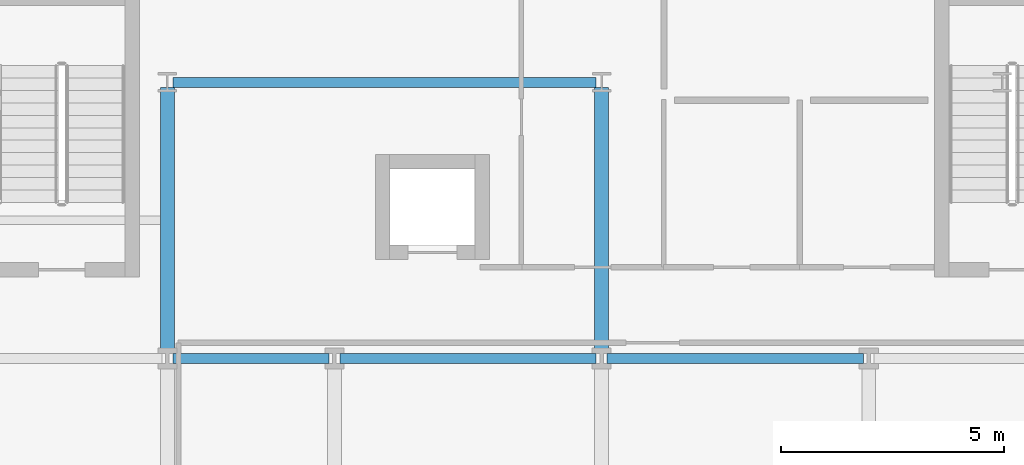
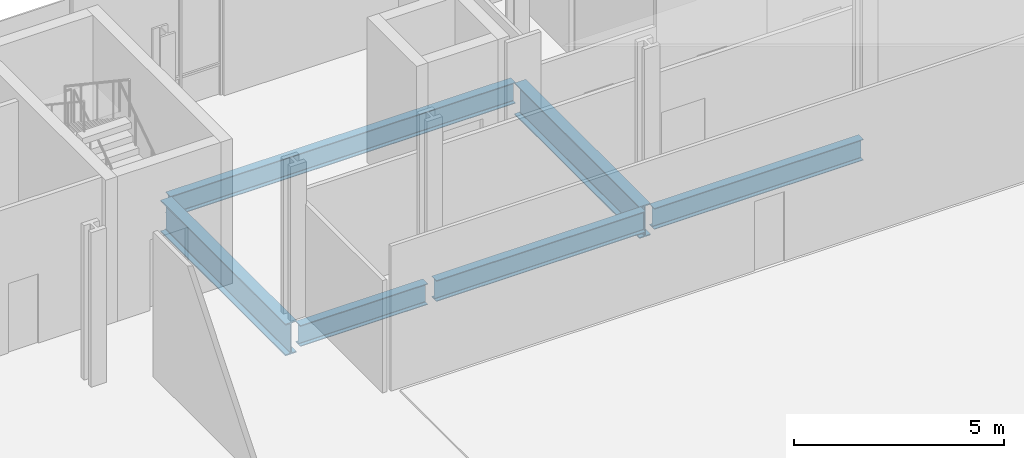
# One storey, part 10 of 25: 6 beams.
"""IFC4 building model written with IfcOpenShell, lengths in metres."""

import ifcopenshell
import ifcopenshell.guid

model = None  # the IFC model being written
_history = None  # IfcOwnerHistory: only IFC2X3 demands one
_inside = {}  # id of a spatial element -> (the spatial element, [elements in it])
_under = {}  # id of a project, library or spatial element -> (it, [spatial elements below it])
_declared = {}  # id of a project -> (the project, [libraries it declares])
_typed = {}  # id of a type object -> (the type object, [elements of that type])
_made_of = {}  # id of a material, layer set ... -> (it, [elements and type objects made of it])


def new_model(schema):
    """Start an empty IFC model of exactly this schema.

    Asked for "IFC4X3", IfcOpenShell would pick the latest addendum, in which some entities
    have other attributes; the version numbers below select the first issue.
    IFC2X3 requires an IfcOwnerHistory on every rooted entity: one is made here for all.
    """
    global model, _history
    if schema == "IFC4X3":
        model = ifcopenshell.file(schema_version=(4, 3, 0, 0))
    else:
        model = ifcopenshell.file(schema=schema)
    _inside.clear()
    _under.clear()
    _declared.clear()
    _typed.clear()
    _made_of.clear()
    _history = None
    if model.schema == "IFC2X3":
        org = make("IfcOrganization", Name="unknown")
        user = make(
            "IfcPersonAndOrganization",
            ThePerson=make("IfcPerson", FamilyName="unknown"),
            TheOrganization=org,
        )
        app = make(
            "IfcApplication",
            ApplicationDeveloper=org,
            Version="unknown",
            ApplicationFullName="unknown",
            ApplicationIdentifier="unknown",
        )
        _history = make(
            "IfcOwnerHistory",
            OwningUser=user,
            OwningApplication=app,
            ChangeAction="ADDED",
            CreationDate=0,
        )
    return model


def make(cls, **values):
    """One entity of the class cls with the attributes given. An attribute that is None is left unset."""
    return model.create_entity(
        cls, **{name: value for name, value in values.items() if value is not None}
    )


def rooted(cls, **values):
    """An entity with a GlobalId (a new one), such as an element, a storey or a relation."""
    return make(cls, GlobalId=ifcopenshell.guid.new(), OwnerHistory=_history, **values)


def si_unit(unit_type, name, prefix=None):
    """IfcSIUnit, for example si_unit("LENGTHUNIT", "METRE", prefix="MILLI")."""
    return make("IfcSIUnit", UnitType=unit_type, Prefix=prefix, Name=name)


def assignment(units):
    """IfcUnitAssignment: the units of a project."""
    return None if units is None else make("IfcUnitAssignment", Units=units)


def point(xyz):
    """IfcCartesianPoint."""
    return None if xyz is None else make("IfcCartesianPoint", Coordinates=xyz)


def direction(xyz):
    """IfcDirection."""
    return None if xyz is None else make("IfcDirection", DirectionRatios=xyz)


def frame(location, z_axis=None, x_axis=None):
    """IfcAxis2Placement3D, a coordinate frame: its origin and axes. An axis left out is left unset."""
    return make(
        "IfcAxis2Placement3D",
        Location=point(location),
        Axis=direction(z_axis),
        RefDirection=direction(x_axis),
    )


def frame_2d(location, x_axis=None):
    """IfcAxis2Placement2D, a coordinate frame in the plane: its origin and x axis."""
    return make(
        "IfcAxis2Placement2D", Location=point(location), RefDirection=direction(x_axis)
    )


def origin():
    """The frame at (0, 0, 0) with its axes left unset."""
    return frame((0.0, 0.0, 0.0))


def origin_2d():
    """The frame at (0, 0) in the plane with its x axis left unset."""
    return frame_2d((0.0, 0.0))


def place(relative_to, where):
    """IfcLocalPlacement: puts the frame where relative to a parent placement (None: the world)."""
    return make(
        "IfcLocalPlacement", PlacementRelTo=relative_to, RelativePlacement=where
    )


def context(
    kind, dimensions, precision=None, world=None, true_north=None, identifier=None
):
    """IfcGeometricRepresentationContext, for example the 3D "Model" context."""
    return make(
        "IfcGeometricRepresentationContext",
        ContextIdentifier=identifier,
        ContextType=kind,
        CoordinateSpaceDimension=dimensions,
        Precision=precision,
        WorldCoordinateSystem=world,
        TrueNorth=true_north,
    )


def subcontext(parent, identifier, kind, view, scale=None):
    """IfcGeometricRepresentationSubContext, for example "Body" below "Model"."""
    return make(
        "IfcGeometricRepresentationSubContext",
        ContextIdentifier=identifier,
        ContextType=kind,
        ParentContext=parent,
        TargetScale=scale,
        TargetView=view,
    )


def project(units=None, contexts=None):
    """IfcProject with its units and contexts."""
    return rooted(
        "IfcProject",
        Name="project",
        RepresentationContexts=contexts,
        UnitsInContext=assignment(units),
    )


def spatial(cls, under=None, at=None, **own):
    """A site, building, storey or space (cls), placed at a placement, below another one or the project."""
    s = rooted(cls, ObjectPlacement=at, **own)
    if under is not None:
        _under.setdefault(under.id(), (under, []))[1].append(s)
    return s


def profile(cls, at=None, kind="AREA", **sizes):
    """A parametric profile (cls). Its sizes go by their IFC names, for example OverallWidth=200.0."""
    return make(cls, ProfileType=kind, Position=at, **sizes)


def i_section(**sizes):
    """IfcIShapeProfileDef."""
    return profile("IfcIShapeProfileDef", **sizes)


def extrude(swept, where, along, depth):
    """IfcExtrudedAreaSolid: the profile swept, set in the frame where, extruded along a direction by depth."""
    return make(
        "IfcExtrudedAreaSolid",
        SweptArea=swept,
        Position=where,
        ExtrudedDirection=direction(along),
        Depth=depth,
    )


def shape(context_of_items, identifier, shape_type, items):
    """IfcShapeRepresentation: the items that make up one representation, for example the "Body"."""
    return make(
        "IfcShapeRepresentation",
        ContextOfItems=context_of_items,
        RepresentationIdentifier=identifier,
        RepresentationType=shape_type,
        Items=items,
    )


def material(Name=None, Category=None):
    """IfcMaterial."""
    return make("IfcMaterial", Name=Name, Category=Category)


def material_profile(
    of_material, cross_section, Name=None, Category=None, Priority=None
):
    """IfcMaterialProfile: a cross section and its material."""
    return make(
        "IfcMaterialProfile",
        Name=Name,
        Material=of_material,
        Profile=cross_section,
        Priority=Priority,
        Category=Category,
    )


def profile_set(profiles, Name=None, composite=None):
    """IfcMaterialProfileSet."""
    return make(
        "IfcMaterialProfileSet",
        Name=Name,
        MaterialProfiles=profiles,
        CompositeProfile=composite,
    )


def made_of(thing, what):
    """Note that an element or type object is made of a material, layer set ...; save() writes the relation."""
    if what is not None:
        _made_of.setdefault(what.id(), (what, []))[1].append(thing)
    return thing


def type_object(cls, material=None, **own):
    """A type object (cls), such as IfcWallType, which elements share."""
    return made_of(rooted(cls, **own), material)


def element(
    cls,
    number,
    at=None,
    inside=None,
    cuts=None,
    type_object=None,
    material=None,
    context=None,
    identifier="Body",
    shape_type=None,
    held_by="IfcProductDefinitionShape",
    body=None,
    shapes=None,
    **own,
):
    """One element of the class cls, such as IfcWall. Its Tag is "e" and its number.

    at: its placement. inside: the storey or other place that contains it. cuts: it is an
    opening in that element (IfcRelVoidsElement). A single representation is given by context,
    identifier, shape_type and body (its items); several are given by shapes. held_by: the class
    of the entity that holds the representations. save() writes the other relations.
    """
    e = rooted(cls, Tag="e%d" % number, ObjectPlacement=at, **own)
    if body is not None:
        shapes = [shape(context, identifier, shape_type, body)]
    if shapes is not None:
        e.Representation = make(held_by, Representations=shapes)
    if inside is not None:
        _inside.setdefault(inside.id(), (inside, []))[1].append(e)
    if cuts is not None:
        rooted(
            "IfcRelVoidsElement", RelatingBuildingElement=cuts, RelatedOpeningElement=e
        )
    if type_object is not None:
        _typed.setdefault(type_object.id(), (type_object, []))[1].append(e)
    return made_of(e, material)


def aggregate(whole, parts):
    """IfcRelAggregates: a whole, such as a stair, and the parts it consists of."""
    return rooted("IfcRelAggregates", RelatingObject=whole, RelatedObjects=parts)


def save(model, path):
    """Write the relations noted so far, then the file.

    IfcRelAggregates (storeys below a building ...), IfcRelContainedInSpatialStructure (elements
    in a storey), IfcRelDefinesByType, IfcRelAssociatesMaterial and IfcRelDeclares: one each for
    every whole, place, type object, material and project.
    """
    for whole, parts in _under.values():
        aggregate(whole, parts)
    for where, things in _inside.values():
        rooted(
            "IfcRelContainedInSpatialStructure",
            RelatedElements=things,
            RelatingStructure=where,
        )
    for kind, things in _typed.values():
        rooted("IfcRelDefinesByType", RelatedObjects=things, RelatingType=kind)
    for what, things in _made_of.values():
        rooted("IfcRelAssociatesMaterial", RelatedObjects=things, RelatingMaterial=what)
    for by, libraries in _declared.values():
        rooted("IfcRelDeclares", RelatingContext=by, RelatedDefinitions=libraries)
    model.write(path)


model = new_model("IFC4")

# Units and contexts
model_context = context("Model", 3, precision=1e-05, world=origin(), true_north=direction((0.0, 1.0)))
body_context = subcontext(model_context, "Body", "Model", "MODEL_VIEW")
ifc_project = project(units=[si_unit("LENGTHUNIT", "METRE"), si_unit("AREAUNIT", "SQUARE_METRE"), si_unit("VOLUMEUNIT", "CUBIC_METRE"), si_unit("PLANEANGLEUNIT", "RADIAN"), si_unit("MASSUNIT", "GRAM", prefix="KILO")], contexts=[model_context])

# Site, building, storey
site_placement = place(None, origin())
site = spatial("IfcSite", under=ifc_project, at=site_placement, CompositionType="ELEMENT")
building_placement = place(site_placement, origin())
building = spatial("IfcBuilding", under=site, at=building_placement, Name="Brevholm Reach", CompositionType="ELEMENT")
storey_placement = place(building_placement, frame((0.0, 0.0, 4.5)))
storey = spatial("IfcBuildingStorey", under=building, at=storey_placement, Name="L01", CompositionType="ELEMENT", Elevation=4.5)

# Beams
ifc_material_1 = material(Name="Structural Steel S355J2", Category="steel")
ifc_material_profile_1 = material_profile(ifc_material_1, i_section(OverallWidth=0.22900390625, OverallDepth=0.6123046875, WebThickness=0.011962890625, FlangeThickness=0.01953125, FilletRadius=0.0126953125, at=origin_2d()), Name="UKB 610x229x125")
ifc_profile_set_1 = profile_set([ifc_material_profile_1], Name="Structural Steel S355J2")
beam_type_1 = type_object("IfcBeamType", Name="BM-SP610", PredefinedType="SPANDREL", material=ifc_profile_set_1)
beam_1_placement = place(storey_placement, frame((38.3701171875, 31.0, -0.626220703125), z_axis=(1.0, 0.0, 0.0), x_axis=(0.0, 1.0, 0.0)))
element("IfcBeam", 1, at=beam_1_placement, inside=storey, type_object=beam_type_1, Name="L01 SP-01 Framing Beam", PredefinedType="SPANDREL", context=body_context, shape_type="SweptSolid", body=[
    extrude(i_section(OverallWidth=0.22900390625, OverallDepth=0.6123046875, WebThickness=0.011962890625, FlangeThickness=0.01953125, FilletRadius=0.0126953125, at=origin_2d()), origin(), (0.0, 0.0, 1.0), 3.509765625),
])
for number, where, z_axis, x_axis, name in (
    (2, (42.1201171875, 31.0, -0.626220703125), (1.0, 0.0, 0.0), (0.0, 1.0, 0.0), "L01 SP-01 Framing Beam"),
    (3, (48.1201171875, 31.0, -0.626220703125), (1.0, 0.0, 0.0), (0.0, 1.0, 0.0), "L01 SP-01 Framing Beam"),
):
    element("IfcBeam", number, at=place(storey_placement, frame(where, z_axis=z_axis, x_axis=x_axis)), inside=storey, type_object=beam_type_1, Name=name, PredefinedType="SPANDREL", context=body_context, shape_type="SweptSolid", body=[
        extrude(i_section(OverallWidth=0.22900390625, OverallDepth=0.6123046875, WebThickness=0.011962890625, FlangeThickness=0.01953125, FilletRadius=0.0126953125, at=origin_2d()), origin(), (0.0, 0.0, 1.0), 5.759765625),
    ])
beam_2_placement = place(storey_placement, frame((38.3701171875, 37.199951171875, -0.626220703125), z_axis=(1.0, 0.0, 0.0), x_axis=(0.0, 1.0, 0.0)))
element("IfcBeam", 4, at=beam_2_placement, inside=storey, type_object=beam_type_1, Name="L01 SP-01 Framing Beam", PredefinedType="SPANDREL", context=body_context, shape_type="SweptSolid", body=[
    extrude(i_section(OverallWidth=0.22900390625, OverallDepth=0.6123046875, WebThickness=0.011962890625, FlangeThickness=0.01953125, FilletRadius=0.0126953125, at=origin_2d()), origin(), (0.0, 0.0, 1.0), 9.509765625),
])
ifc_material_2 = material(Name="Structural Steel S460ML", Category="steel")
ifc_material_profile_2 = material_profile(ifc_material_2, i_section(OverallWidth=0.3076171875, OverallDepth=0.926513671875, WebThickness=0.01953125, FlangeThickness=0.031982421875, FilletRadius=0.01904296875, at=origin_2d()), Name="UKB 914x305x289")
ifc_profile_set_2 = profile_set([ifc_material_profile_2], Name="Structural Steel S460ML")
beam_type_2 = type_object("IfcBeamType", Name="BM-UKB914B", PredefinedType="USERDEFINED", material=ifc_profile_set_2)
for number, where, z_axis, x_axis, name in (
    (5, (38.25, 31.1201171875, -0.783203125), (0.0, 1.0, 0.0), (-1.0, 0.0, 0.0), "L01 G-02B Framing Beam"),
    (6, (48.0, 31.1201171875, -0.783203125), (0.0, 1.0, 0.0), (-1.0, 0.0, 0.0), "L01 G-02B Framing Beam"),
):
    element("IfcBeam", number, at=place(storey_placement, frame(where, z_axis=z_axis, x_axis=x_axis)), inside=storey, type_object=beam_type_2, Name=name, ObjectType="GIRDER", PredefinedType="USERDEFINED", context=body_context, shape_type="SweptSolid", body=[
        extrude(i_section(OverallWidth=0.3076171875, OverallDepth=0.926513671875, WebThickness=0.01953125, FlangeThickness=0.031982421875, FilletRadius=0.01904296875, at=origin_2d()), origin(), (0.0, 0.0, 1.0), 5.9599609375),
    ])

save(model, "model.ifc")
